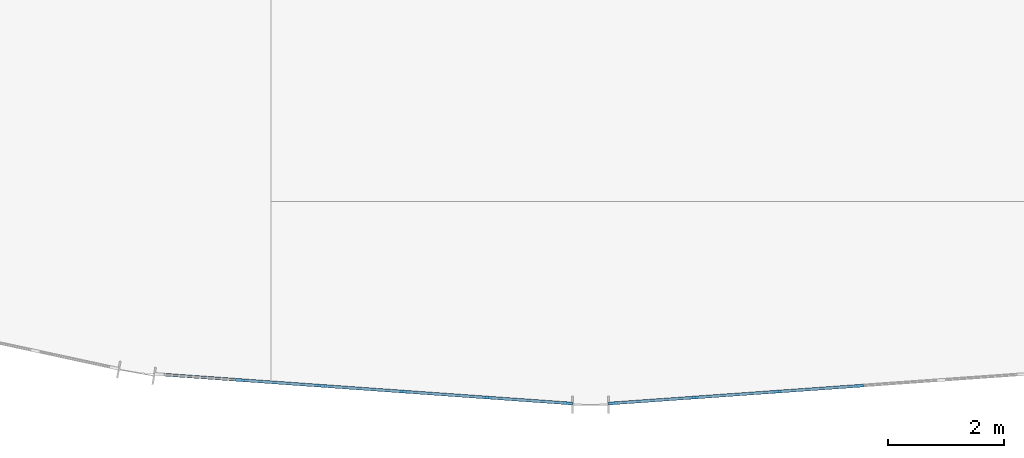
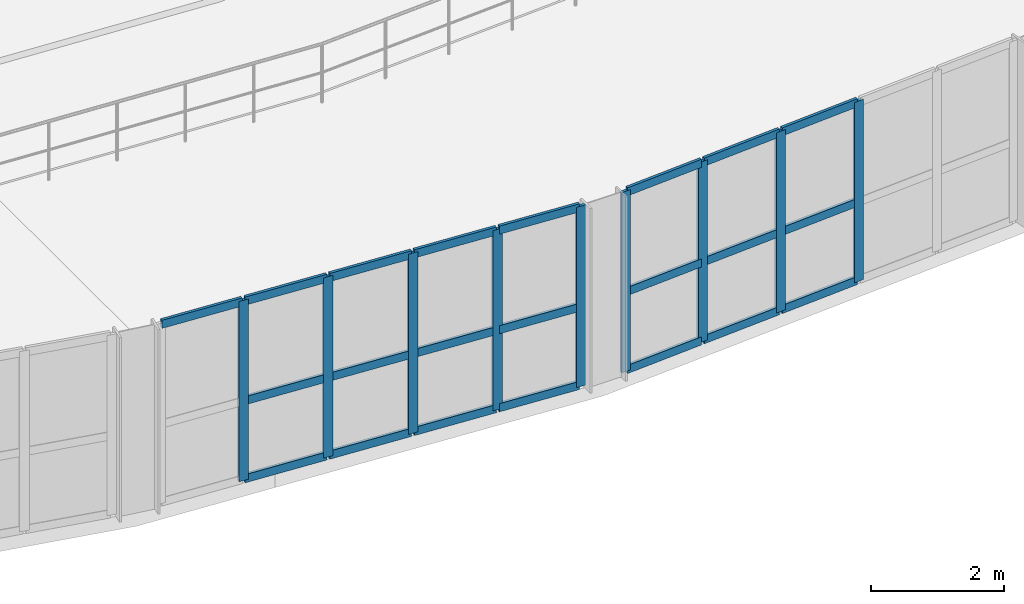
# One storey, part 11 of 40: 31 members, 2 elements without a shape of their own.
"""IFC4 building model written with IfcOpenShell, lengths in metres."""

from ifc_helpers import new_model, si_unit, direction, frame, origin, origin_2d, place, context, subcontext, project, spatial, rectangle, extrude, material, material_profile, profile_set, type_object, element, aggregate, save


model = new_model("IFC4")

# Units and contexts
model_context = context("Model", 3, precision=1e-05, world=origin(), true_north=direction((0.0, 1.0)))
body_context = subcontext(model_context, "Body", "Model", "MODEL_VIEW")
ifc_project = project(units=[si_unit("LENGTHUNIT", "METRE"), si_unit("AREAUNIT", "SQUARE_METRE"), si_unit("VOLUMEUNIT", "CUBIC_METRE"), si_unit("PLANEANGLEUNIT", "RADIAN"), si_unit("MASSUNIT", "GRAM", prefix="KILO")], contexts=[model_context])

# Site, building, storey
site_placement = place(None, origin())
site = spatial("IfcSite", under=ifc_project, at=site_placement, CompositionType="ELEMENT")
building_placement = place(site_placement, origin())
building = spatial("IfcBuilding", under=site, at=building_placement, Name="Glasvene Arena", CompositionType="ELEMENT")
storey_placement = place(building_placement, frame((0.0, 0.0, 24.0)))
storey = spatial("IfcBuildingStorey", under=building, at=storey_placement, Name="L05", CompositionType="ELEMENT", Elevation=24.0)

# Curtain wall, members
ifc_material_1 = material(Name="Low-emissivity laminated double glazing", Category="glass")
curtain_wall_type = type_object("IfcCurtainWallType", Name="CW-FAC-L05-710x332", PredefinedType="USERDEFINED", material=ifc_material_1)
curtain_wall_1_placement = place(storey_placement, frame((99.453857421875, 28.528076171875, 0.0)))
curtain_wall_1 = element("IfcCurtainWall", 1, at=curtain_wall_1_placement, inside=storey, type_object=curtain_wall_type, Name="Unitised curtain wall CW-F-L05-150-959-283-44", ObjectType="CURTAIN WALL", PredefinedType="USERDEFINED")
ifc_material_2 = material(Name="Anodised architectural aluminium", Category="aluminium")
ifc_material_profile_1 = material_profile(ifc_material_2, rectangle(XDim=0.050048828125, YDim=0.159912109375, at=origin_2d()), Name="ALU MULLION 50x160")
ifc_profile_set_1 = profile_set([ifc_material_profile_1], Name="Anodised architectural aluminium")
member_type_1 = type_object("IfcMemberType", Name="CW-MUL-150", PredefinedType="MULLION", material=ifc_profile_set_1)
member_1_placement = place(storey_placement, frame((96.619140625, 28.3271484375, 0.06005859375), z_axis=(0.0, 0.0, 1.0), x_axis=(0.070656884566, -0.997500679029, 0.0)))
member_1 = element("IfcMember", 2, at=member_1_placement, type_object=member_type_1, Name="CW-065 mullion 3", PredefinedType="MULLION", context=body_context, shape_type="SweptSolid", body=[
    extrude(rectangle(XDim=0.050048828125, YDim=0.159912109375, at=origin_2d()), origin(), (0.0, 0.0, 1.0), 3.31982421875),
])
member_2_placement = place(storey_placement, frame((95.20166015625, 28.226806640625, 0.06005859375), z_axis=(0.0, 0.0, 1.0), x_axis=(0.070656884566, -0.997500679029, 0.0)))
member_2 = element("IfcMember", 3, at=member_2_placement, type_object=member_type_1, Name="CW-065 mullion 4", PredefinedType="MULLION", context=body_context, shape_type="SweptSolid", body=[
    extrude(rectangle(XDim=0.050048828125, YDim=0.159912109375, at=origin_2d()), origin(), (0.0, 0.0, 1.0), 3.31982421875),
])
member_3_placement = place(storey_placement, frame((93.7841796875, 28.12646484375, 0.06005859375), z_axis=(0.0, 0.0, 1.0), x_axis=(0.070656884566, -0.997500679029, 0.0)))
member_3 = element("IfcMember", 4, at=member_3_placement, type_object=member_type_1, Name="CW-065 mullion 5", PredefinedType="MULLION", context=body_context, shape_type="SweptSolid", body=[
    extrude(rectangle(XDim=0.050048828125, YDim=0.159912109375, at=origin_2d()), origin(), (0.0, 0.0, 1.0), 3.31982421875),
])
member_4_placement = place(storey_placement, frame((92.391845703125, 28.02783203125, 0.06005859375), z_axis=(0.0, 0.0, 1.0), x_axis=(0.070656884566, -0.997500679029, 0.0)))
member_4 = element("IfcMember", 5, at=member_4_placement, type_object=member_type_1, Name="CW-065 mullion 6", PredefinedType="MULLION", context=body_context, shape_type="SweptSolid", body=[
    extrude(rectangle(XDim=0.050048828125, YDim=0.159912109375, at=origin_2d()), origin(), (0.0, 0.0, 1.0), 3.31982421875),
])

curtain_wall_2_placement = place(storey_placement, frame((91.633056640625, 28.02587890625, 0.0)))
curtain_wall_2 = element("IfcCurtainWall", 6, at=curtain_wall_2_placement, inside=storey, type_object=curtain_wall_type, Name="Unitised curtain wall CW-F-L05-150-881-283-45", ObjectType="CURTAIN WALL", PredefinedType="USERDEFINED")
member_5_placement = place(storey_placement, frame((91.608154296875, 28.02783203125, 0.06005859375), z_axis=(0.0, 0.0, 1.0), x_axis=(-0.070656884566, -0.997500679029, 0.0)))
member_5 = element("IfcMember", 7, at=member_5_placement, type_object=member_type_1, Name="CW-065 mullion 1", PredefinedType="MULLION", context=body_context, shape_type="SweptSolid", body=[
    extrude(rectangle(XDim=0.050048828125, YDim=0.159912109375, at=origin_2d()), origin(), (0.0, 0.0, 1.0), 3.31982421875),
])
member_6_placement = place(storey_placement, frame((90.2158203125, 28.12646484375, 0.06005859375), z_axis=(0.0, 0.0, 1.0), x_axis=(-0.070656884566, -0.997500679029, 0.0)))
member_6 = element("IfcMember", 8, at=member_6_placement, type_object=member_type_1, Name="CW-065 mullion 2", PredefinedType="MULLION", context=body_context, shape_type="SweptSolid", body=[
    extrude(rectangle(XDim=0.050048828125, YDim=0.159912109375, at=origin_2d()), origin(), (0.0, 0.0, 1.0), 3.31982421875),
])
member_7_placement = place(storey_placement, frame((88.79833984375, 28.226806640625, 0.06005859375), z_axis=(0.0, 0.0, 1.0), x_axis=(-0.070656884566, -0.997500679029, 0.0)))
member_7 = element("IfcMember", 9, at=member_7_placement, type_object=member_type_1, Name="CW-065 mullion 3", PredefinedType="MULLION", context=body_context, shape_type="SweptSolid", body=[
    extrude(rectangle(XDim=0.050048828125, YDim=0.159912109375, at=origin_2d()), origin(), (0.0, 0.0, 1.0), 3.31982421875),
])
member_8_placement = place(storey_placement, frame((87.380859375, 28.3271484375, 0.06005859375), z_axis=(0.0, 0.0, 1.0), x_axis=(-0.070656884566, -0.997500679029, 0.0)))
member_8 = element("IfcMember", 10, at=member_8_placement, type_object=member_type_1, Name="CW-065 mullion 4", PredefinedType="MULLION", context=body_context, shape_type="SweptSolid", body=[
    extrude(rectangle(XDim=0.050048828125, YDim=0.159912109375, at=origin_2d()), origin(), (0.0, 0.0, 1.0), 3.31982421875),
])
member_9_placement = place(storey_placement, frame((85.96337890625, 28.427490234375, 0.06005859375), z_axis=(0.0, 0.0, 1.0), x_axis=(-0.070656884566, -0.997500679029, 0.0)))
member_9 = element("IfcMember", 11, at=member_9_placement, type_object=member_type_1, Name="CW-065 mullion 5", PredefinedType="MULLION", context=body_context, shape_type="SweptSolid", body=[
    extrude(rectangle(XDim=0.050048828125, YDim=0.159912109375, at=origin_2d()), origin(), (0.0, 0.0, 1.0), 3.31982421875),
])

# Member
ifc_material_profile_2 = material_profile(ifc_material_2, rectangle(XDim=0.050048828125, YDim=0.14990234375, at=origin_2d()), Name="ALU TRANSOM 50x150")
ifc_profile_set_2 = profile_set([ifc_material_profile_2], Name="Anodised architectural aluminium")
member_type_2 = type_object("IfcMemberType", Name="CW-TRN-150", PredefinedType="USERDEFINED", material=ifc_profile_set_2)
member_10_placement = place(storey_placement, frame((96.59423828125, 28.325439453125, 0.0849609375), z_axis=(-0.997498314427, -0.070690258984, 0.0), x_axis=(0.070690258984, -0.997498314427, 0.0)))
member_10 = element("IfcMember", 12, at=member_10_placement, type_object=member_type_2, Name="CW-065 transom 3.1", ObjectType="TRANSOM", PredefinedType="USERDEFINED", context=body_context, shape_type="SweptSolid", body=[
    extrude(rectangle(XDim=0.050048828125, YDim=0.14990234375, at=origin_2d()), origin(), (0.0, 0.0, 1.0), 1.37109375),
])

member_11_placement = place(storey_placement, frame((96.59423828125, 28.325439453125, 1.52099609375), z_axis=(-0.997498314427, -0.070690258984, 0.0), x_axis=(0.070690258984, -0.997498314427, 0.0)))
member_11 = element("IfcMember", 13, at=member_11_placement, type_object=member_type_2, Name="CW-065 transom 3.2", ObjectType="TRANSOM", PredefinedType="USERDEFINED", context=body_context, shape_type="SweptSolid", body=[
    extrude(rectangle(XDim=0.050048828125, YDim=0.14990234375, at=origin_2d()), origin(), (0.0, 0.0, 1.0), 1.37109375),
])

member_12_placement = place(storey_placement, frame((96.59423828125, 28.325439453125, 3.35498046875), z_axis=(-0.997498314427, -0.070690258984, 0.0), x_axis=(0.070690258984, -0.997498314427, 0.0)))
member_12 = element("IfcMember", 14, at=member_12_placement, type_object=member_type_2, Name="CW-065 transom 3.3", ObjectType="TRANSOM", PredefinedType="USERDEFINED", context=body_context, shape_type="SweptSolid", body=[
    extrude(rectangle(XDim=0.050048828125, YDim=0.14990234375, at=origin_2d()), origin(), (0.0, 0.0, 1.0), 1.37109375),
])

member_13_placement = place(storey_placement, frame((95.1767578125, 28.22509765625, 0.0849609375), z_axis=(-0.997497424399, -0.070702816905, 0.0), x_axis=(0.070702816905, -0.997497424399, 0.0)))
member_13 = element("IfcMember", 15, at=member_13_placement, type_object=member_type_2, Name="CW-065 transom 4.1", ObjectType="TRANSOM", PredefinedType="USERDEFINED", context=body_context, shape_type="SweptSolid", body=[
    extrude(rectangle(XDim=0.050048828125, YDim=0.14990234375, at=origin_2d()), origin(), (0.0, 0.0, 1.0), 1.370849609375),
])

member_14_placement = place(storey_placement, frame((95.1767578125, 28.22509765625, 1.52099609375), z_axis=(-0.997497424399, -0.070702816905, 0.0), x_axis=(0.070702816905, -0.997497424399, 0.0)))
member_14 = element("IfcMember", 16, at=member_14_placement, type_object=member_type_2, Name="CW-065 transom 4.2", ObjectType="TRANSOM", PredefinedType="USERDEFINED", context=body_context, shape_type="SweptSolid", body=[
    extrude(rectangle(XDim=0.050048828125, YDim=0.14990234375, at=origin_2d()), origin(), (0.0, 0.0, 1.0), 1.370849609375),
])

member_15_placement = place(storey_placement, frame((95.1767578125, 28.22509765625, 3.35498046875), z_axis=(-0.997497424399, -0.070702816905, 0.0), x_axis=(0.070702816905, -0.997497424399, 0.0)))
member_15 = element("IfcMember", 17, at=member_15_placement, type_object=member_type_2, Name="CW-065 transom 4.3", ObjectType="TRANSOM", PredefinedType="USERDEFINED", context=body_context, shape_type="SweptSolid", body=[
    extrude(rectangle(XDim=0.050048828125, YDim=0.14990234375, at=origin_2d()), origin(), (0.0, 0.0, 1.0), 1.370849609375),
])

member_16_placement = place(storey_placement, frame((93.75927734375, 28.12451171875, 0.0849609375), z_axis=(-0.997507268322, -0.070563798396, 0.0), x_axis=(0.070563798396, -0.997507268322, 0.0)))
member_16 = element("IfcMember", 18, at=member_16_placement, type_object=member_type_2, Name="CW-065 transom 5.1", ObjectType="TRANSOM", PredefinedType="USERDEFINED", context=body_context, shape_type="SweptSolid", body=[
    extrude(rectangle(XDim=0.050048828125, YDim=0.14990234375, at=origin_2d()), origin(), (0.0, 0.0, 1.0), 1.345947265625),
])

member_17_placement = place(storey_placement, frame((93.75927734375, 28.12451171875, 1.52099609375), z_axis=(-0.997507268322, -0.070563798396, 0.0), x_axis=(0.070563798396, -0.997507268322, 0.0)))
member_17 = element("IfcMember", 19, at=member_17_placement, type_object=member_type_2, Name="CW-065 transom 5.2", ObjectType="TRANSOM", PredefinedType="USERDEFINED", context=body_context, shape_type="SweptSolid", body=[
    extrude(rectangle(XDim=0.050048828125, YDim=0.14990234375, at=origin_2d()), origin(), (0.0, 0.0, 1.0), 1.345947265625),
])

member_18_placement = place(storey_placement, frame((93.75927734375, 28.12451171875, 3.35498046875), z_axis=(-0.997507268322, -0.070563798396, 0.0), x_axis=(0.070563798396, -0.997507268322, 0.0)))
member_18 = element("IfcMember", 20, at=member_18_placement, type_object=member_type_2, Name="CW-065 transom 5.3", ObjectType="TRANSOM", PredefinedType="USERDEFINED", context=body_context, shape_type="SweptSolid", body=[
    extrude(rectangle(XDim=0.050048828125, YDim=0.14990234375, at=origin_2d()), origin(), (0.0, 0.0, 1.0), 1.345947265625),
])

aggregate(curtain_wall_1, [member_1, member_2, member_3, member_4, member_10, member_11, member_12, member_13, member_14, member_15, member_16, member_17, member_18])

member_19_placement = place(storey_placement, frame((91.583251953125, 28.029541015625, 0.0849609375), z_axis=(-0.997507268322, 0.070563798396, 0.0), x_axis=(-0.070563798396, -0.997507268322, 0.0)))
member_19 = element("IfcMember", 21, at=member_19_placement, type_object=member_type_2, Name="CW-065 transom 1.1", ObjectType="TRANSOM", PredefinedType="USERDEFINED", context=body_context, shape_type="SweptSolid", body=[
    extrude(rectangle(XDim=0.050048828125, YDim=0.14990234375, at=origin_2d()), origin(), (0.0, 0.0, 1.0), 1.345947265625),
])

member_20_placement = place(storey_placement, frame((91.583251953125, 28.029541015625, 1.52099609375), z_axis=(-0.997507268322, 0.070563798396, 0.0), x_axis=(-0.070563798396, -0.997507268322, 0.0)))
member_20 = element("IfcMember", 22, at=member_20_placement, type_object=member_type_2, Name="CW-065 transom 1.2", ObjectType="TRANSOM", PredefinedType="USERDEFINED", context=body_context, shape_type="SweptSolid", body=[
    extrude(rectangle(XDim=0.050048828125, YDim=0.14990234375, at=origin_2d()), origin(), (0.0, 0.0, 1.0), 1.345947265625),
])

member_21_placement = place(storey_placement, frame((91.583251953125, 28.029541015625, 3.35498046875), z_axis=(-0.997507268322, 0.070563798396, 0.0), x_axis=(-0.070563798396, -0.997507268322, 0.0)))
member_21 = element("IfcMember", 23, at=member_21_placement, type_object=member_type_2, Name="CW-065 transom 1.3", ObjectType="TRANSOM", PredefinedType="USERDEFINED", context=body_context, shape_type="SweptSolid", body=[
    extrude(rectangle(XDim=0.050048828125, YDim=0.14990234375, at=origin_2d()), origin(), (0.0, 0.0, 1.0), 1.345947265625),
])

member_22_placement = place(storey_placement, frame((90.190673828125, 28.128173828125, 0.0849609375), z_axis=(-0.997497424399, 0.070702816905, 0.0), x_axis=(-0.070702816905, -0.997497424399, 0.0)))
member_22 = element("IfcMember", 24, at=member_22_placement, type_object=member_type_2, Name="CW-065 transom 2.1", ObjectType="TRANSOM", PredefinedType="USERDEFINED", context=body_context, shape_type="SweptSolid", body=[
    extrude(rectangle(XDim=0.050048828125, YDim=0.14990234375, at=origin_2d()), origin(), (0.0, 0.0, 1.0), 1.370849609375),
])

member_23_placement = place(storey_placement, frame((90.190673828125, 28.128173828125, 1.52099609375), z_axis=(-0.997497424399, 0.070702816905, 0.0), x_axis=(-0.070702816905, -0.997497424399, 0.0)))
member_23 = element("IfcMember", 25, at=member_23_placement, type_object=member_type_2, Name="CW-065 transom 2.2", ObjectType="TRANSOM", PredefinedType="USERDEFINED", context=body_context, shape_type="SweptSolid", body=[
    extrude(rectangle(XDim=0.050048828125, YDim=0.14990234375, at=origin_2d()), origin(), (0.0, 0.0, 1.0), 1.370849609375),
])

member_24_placement = place(storey_placement, frame((90.190673828125, 28.128173828125, 3.35498046875), z_axis=(-0.997497424399, 0.070702816905, 0.0), x_axis=(-0.070702816905, -0.997497424399, 0.0)))
member_24 = element("IfcMember", 26, at=member_24_placement, type_object=member_type_2, Name="CW-065 transom 2.3", ObjectType="TRANSOM", PredefinedType="USERDEFINED", context=body_context, shape_type="SweptSolid", body=[
    extrude(rectangle(XDim=0.050048828125, YDim=0.14990234375, at=origin_2d()), origin(), (0.0, 0.0, 1.0), 1.370849609375),
])

member_25_placement = place(storey_placement, frame((88.7734375, 28.228515625, 0.0849609375), z_axis=(-0.997498314427, 0.070690258984, 0.0), x_axis=(-0.070690258984, -0.997498314427, 0.0)))
member_25 = element("IfcMember", 27, at=member_25_placement, type_object=member_type_2, Name="CW-065 transom 3.1", ObjectType="TRANSOM", PredefinedType="USERDEFINED", context=body_context, shape_type="SweptSolid", body=[
    extrude(rectangle(XDim=0.050048828125, YDim=0.14990234375, at=origin_2d()), origin(), (0.0, 0.0, 1.0), 1.37109375),
])

member_26_placement = place(storey_placement, frame((88.7734375, 28.228515625, 1.52099609375), z_axis=(-0.997498314427, 0.070690258984, 0.0), x_axis=(-0.070690258984, -0.997498314427, 0.0)))
member_26 = element("IfcMember", 28, at=member_26_placement, type_object=member_type_2, Name="CW-065 transom 3.2", ObjectType="TRANSOM", PredefinedType="USERDEFINED", context=body_context, shape_type="SweptSolid", body=[
    extrude(rectangle(XDim=0.050048828125, YDim=0.14990234375, at=origin_2d()), origin(), (0.0, 0.0, 1.0), 1.37109375),
])

member_27_placement = place(storey_placement, frame((88.7734375, 28.228515625, 3.35498046875), z_axis=(-0.997498314427, 0.070690258984, 0.0), x_axis=(-0.070690258984, -0.997498314427, 0.0)))
member_27 = element("IfcMember", 29, at=member_27_placement, type_object=member_type_2, Name="CW-065 transom 3.3", ObjectType="TRANSOM", PredefinedType="USERDEFINED", context=body_context, shape_type="SweptSolid", body=[
    extrude(rectangle(XDim=0.050048828125, YDim=0.14990234375, at=origin_2d()), origin(), (0.0, 0.0, 1.0), 1.37109375),
])

member_28_placement = place(storey_placement, frame((87.35595703125, 28.328857421875, 0.0849609375), z_axis=(-0.997497424399, 0.070702816905, 0.0), x_axis=(-0.070702816905, -0.997497424399, 0.0)))
member_28 = element("IfcMember", 30, at=member_28_placement, type_object=member_type_2, Name="CW-065 transom 4.1", ObjectType="TRANSOM", PredefinedType="USERDEFINED", context=body_context, shape_type="SweptSolid", body=[
    extrude(rectangle(XDim=0.050048828125, YDim=0.14990234375, at=origin_2d()), origin(), (0.0, 0.0, 1.0), 1.370849609375),
])

member_29_placement = place(storey_placement, frame((87.35595703125, 28.328857421875, 1.52099609375), z_axis=(-0.997497424399, 0.070702816905, 0.0), x_axis=(-0.070702816905, -0.997497424399, 0.0)))
member_29 = element("IfcMember", 31, at=member_29_placement, type_object=member_type_2, Name="CW-065 transom 4.2", ObjectType="TRANSOM", PredefinedType="USERDEFINED", context=body_context, shape_type="SweptSolid", body=[
    extrude(rectangle(XDim=0.050048828125, YDim=0.14990234375, at=origin_2d()), origin(), (0.0, 0.0, 1.0), 1.370849609375),
])

member_30_placement = place(storey_placement, frame((87.35595703125, 28.328857421875, 3.35498046875), z_axis=(-0.997497424399, 0.070702816905, 0.0), x_axis=(-0.070702816905, -0.997497424399, 0.0)))
member_30 = element("IfcMember", 32, at=member_30_placement, type_object=member_type_2, Name="CW-065 transom 4.3", ObjectType="TRANSOM", PredefinedType="USERDEFINED", context=body_context, shape_type="SweptSolid", body=[
    extrude(rectangle(XDim=0.050048828125, YDim=0.14990234375, at=origin_2d()), origin(), (0.0, 0.0, 1.0), 1.370849609375),
])

member_31_placement = place(storey_placement, frame((85.9384765625, 28.429443359375, 3.35498046875), z_axis=(-0.997507268322, 0.070563798396, 0.0), x_axis=(-0.070563798396, -0.997507268322, 0.0)))
member_31 = element("IfcMember", 33, at=member_31_placement, type_object=member_type_2, Name="CW-065 transom 5.3", ObjectType="TRANSOM", PredefinedType="USERDEFINED", context=body_context, shape_type="SweptSolid", body=[
    extrude(rectangle(XDim=0.050048828125, YDim=0.14990234375, at=origin_2d()), origin(), (0.0, 0.0, 1.0), 1.345947265625),
])

aggregate(curtain_wall_2, [member_5, member_6, member_7, member_8, member_9, member_19, member_20, member_21, member_22, member_23, member_24, member_25, member_26, member_27, member_28, member_29, member_30, member_31])

save(model, "model.ifc")
